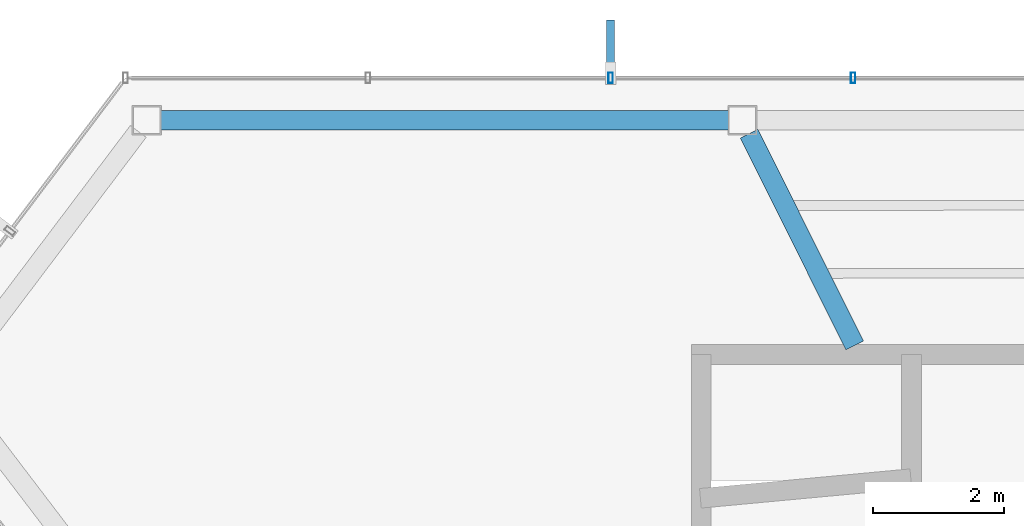
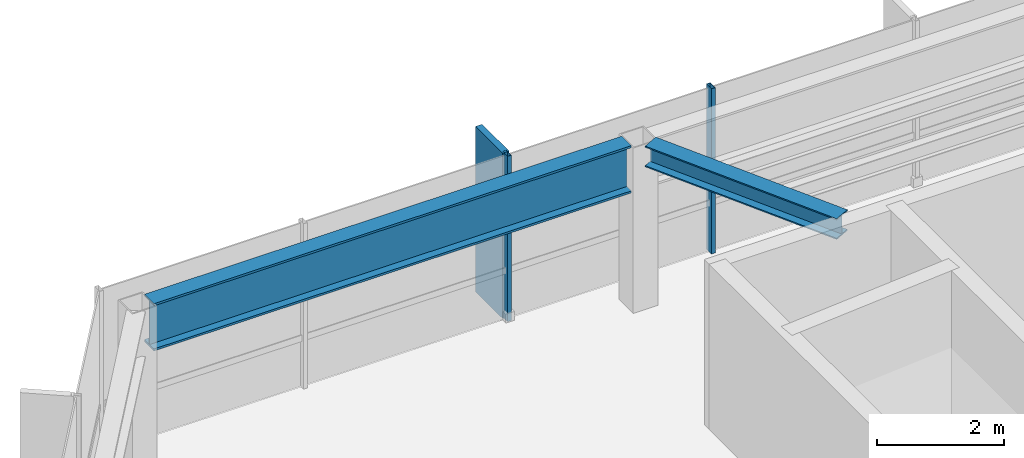
# One storey, part 11 of 23: 3 members, 2 beams, 1 element without a shape of its own.
"""IFC4 building model written with IfcOpenShell, lengths in metres."""

from ifc_helpers import new_model, si_unit, direction, frame, origin, origin_2d, place, context, subcontext, project, spatial, rectangle, hollow_rectangle, i_section, extrude, material, layer, layer_set, material_profile, profile_set, type_object, element, aggregate, save


model = new_model("IFC4")

# Units and contexts
model_context = context("Model", 3, precision=1e-05, world=origin(), true_north=direction((0.0, 1.0)))
body_context = subcontext(model_context, "Body", "Model", "MODEL_VIEW")
ifc_project = project(units=[si_unit("LENGTHUNIT", "METRE"), si_unit("AREAUNIT", "SQUARE_METRE"), si_unit("VOLUMEUNIT", "CUBIC_METRE"), si_unit("PLANEANGLEUNIT", "RADIAN"), si_unit("MASSUNIT", "GRAM", prefix="KILO")], contexts=[model_context])

# Site, building, storey
site_placement = place(None, origin())
site = spatial("IfcSite", under=ifc_project, at=site_placement, CompositionType="ELEMENT")
building_placement = place(site_placement, origin())
building = spatial("IfcBuilding", under=site, at=building_placement, Name="Zarrinselat Tower", CompositionType="ELEMENT")
storey_placement = place(building_placement, frame((0.0, 0.0, 282.199951171875)))
storey = spatial("IfcBuildingStorey", under=building, at=storey_placement, Name="L72", CompositionType="ELEMENT", Elevation=282.199951171875)

# Beams
ifc_material_1 = material(Name="Steel S355J2", Category="steel")
ifc_material_profile_1 = material_profile(ifc_material_1, i_section(OverallWidth=0.300048828125, OverallDepth=0.39990234375, WebThickness=0.013427734375, FlangeThickness=0.02392578125, at=origin_2d()), Name="HEB 400")
ifc_profile_set_1 = profile_set([ifc_material_profile_1], Name="Steel S355J2")
beam_type_1 = type_object("IfcBeamType", Name="BM-HEB400", PredefinedType="BEAM", material=ifc_profile_set_1)
beam_1_placement = place(storey_placement, frame((29.384765625, 46.780029296875, 2.97998046875), z_axis=(0.446161273483, -0.894952578657, 0.0), x_axis=(0.894952578657, 0.446161273483, 0.0)))
element("IfcBeam", 1, at=beam_1_placement, inside=storey, type_object=beam_type_1, Name="L72 Radial Primary Girder RG04", PredefinedType="BEAM", context=body_context, shape_type="SweptSolid", body=[
    extrude(i_section(OverallWidth=0.300048828125, OverallDepth=0.39990234375, WebThickness=0.013427734375, FlangeThickness=0.02392578125, at=origin_2d()), origin(), (0.0, 0.0, 1.0), 3.620361328125),
])
ifc_material_2 = material(Name="Steel S460M", Category="steel")
ifc_material_profile_2 = material_profile(ifc_material_2, i_section(OverallWidth=0.302001953125, OverallDepth=0.909912109375, WebThickness=0.02099609375, FlangeThickness=0.0400390625, at=origin_2d()), Name="HEM 900")
ifc_profile_set_2 = profile_set([ifc_material_profile_2], Name="Steel S460M")
beam_type_2 = type_object("IfcBeamType", Name="BM-HEM900", PredefinedType="BEAM", material=ifc_profile_set_2)
beam_2_placement = place(storey_placement, frame((20.3798828125, 46.9833984375, 2.72509765625), z_axis=(1.0, 0.0, 0.0), x_axis=(0.0, 1.0, 0.0)))
element("IfcBeam", 2, at=beam_2_placement, inside=storey, type_object=beam_type_2, Name="L72 Perimeter Spandrel Girder SP04", PredefinedType="BEAM", context=body_context, shape_type="SweptSolid", body=[
    extrude(i_section(OverallWidth=0.302001953125, OverallDepth=0.909912109375, WebThickness=0.02099609375, FlangeThickness=0.0400390625, at=origin_2d()), origin(), (0.0, 0.0, 1.0), 8.6904296875),
])

# Curtain wall, members
ifc_material_3 = material(Name="Extruded Aluminium Alloy EN AW-6063 T6", Category="aluminium")
ifc_layer = layer(ifc_material_3, 0.169921875)
ifc_layer_set = layer_set([ifc_layer], Name="Extruded Aluminium Alloy EN AW-6063 T6")
curtain_wall_type = type_object("IfcCurtainWallType", Name="CWS-RES", PredefinedType="NOTDEFINED", material=ifc_layer_set)
curtain_wall_placement = place(storey_placement, origin())
curtain_wall = element("IfcCurtainWall", 3, at=curtain_wall_placement, inside=storey, type_object=curtain_wall_type, Name="L72 Unitised Curtain Wall CW-L72-E01", PredefinedType="NOTDEFINED")
ifc_material_4 = material(Name="Extruded Aluminium Alloy EN AW-6063 T6", Category="aluminium")
ifc_material_profile_3 = material_profile(ifc_material_4, hollow_rectangle(XDim=0.070068359375, YDim=0.159912109375, WallThickness=0.00390625, at=origin_2d()), Name="RHS 160x70x4")
ifc_profile_set_3 = profile_set([ifc_material_profile_3], Name="Extruded Aluminium Alloy EN AW-6063 T6")
member_type_1 = type_object("IfcMemberType", Name="MEM-CW-MUL2", PredefinedType="MULLION", material=ifc_profile_set_3)
member_1_placement = place(storey_placement, frame((30.976806640625, 47.63330078125, 0.0), z_axis=(0.0, 0.0, 1.0), x_axis=(-1.0, 0.0, 0.0)))
member_1 = element("IfcMember", 4, at=member_1_placement, type_object=member_type_1, Name="CW-L72-E01 Mullion 10", PredefinedType="MULLION", context=body_context, shape_type="SweptSolid", body=[
    extrude(hollow_rectangle(XDim=0.070068359375, YDim=0.159912109375, WallThickness=0.00390625, at=origin_2d()), origin(), (0.0, 0.0, 1.0), 3.179931640625),
])
member_2_placement = place(storey_placement, frame((27.265380859375, 47.63330078125, 0.0), z_axis=(0.0, 0.0, 1.0), x_axis=(-1.0, 0.0, 0.0)))
member_2 = element("IfcMember", 5, at=member_2_placement, type_object=member_type_1, Name="CW-L72-E01 Mullion 11", PredefinedType="MULLION", context=body_context, shape_type="SweptSolid", body=[
    extrude(hollow_rectangle(XDim=0.070068359375, YDim=0.159912109375, WallThickness=0.00390625, at=origin_2d()), origin(), (0.0, 0.0, 1.0), 3.179931640625),
])
ifc_material_5 = material(Name="Honed Cream Travertine Stone", Category="masonry")
ifc_material_profile_4 = material_profile(ifc_material_5, rectangle(XDim=0.1201171875, YDim=0.85009765625, at=origin_2d()), Name="FIN 850x120")
ifc_profile_set_4 = profile_set([ifc_material_profile_4], Name="Honed Cream Travertine Stone")
member_type_2 = type_object("IfcMemberType", Name="MEM-STONE-FIN", PredefinedType="USERDEFINED", material=ifc_profile_set_4)
member_3_placement = place(storey_placement, frame((27.265380859375, 48.09326171875, 0.0), z_axis=(0.0, 0.0, 1.0), x_axis=(1.0, 0.0, 0.0)))
member_3 = element("IfcMember", 6, at=member_3_placement, type_object=member_type_2, Name="L72 Stone Shading Fin CW-L72-E01-11", ObjectType="FIN", PredefinedType="USERDEFINED", context=body_context, shape_type="SweptSolid", body=[
    extrude(rectangle(XDim=0.1201171875, YDim=0.85009765625, at=origin_2d()), origin(), (0.0, 0.0, 1.0), 3.179931640625),
])
aggregate(curtain_wall, [member_1, member_2, member_3])

save(model, "model.ifc")
